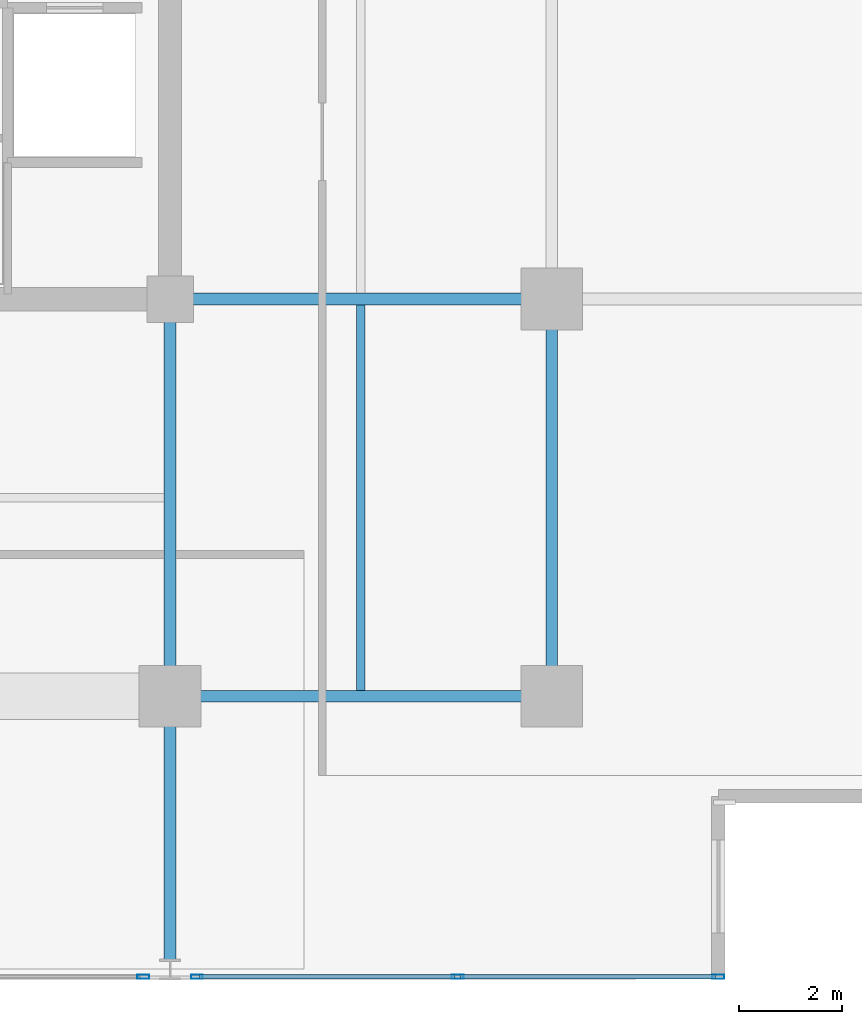
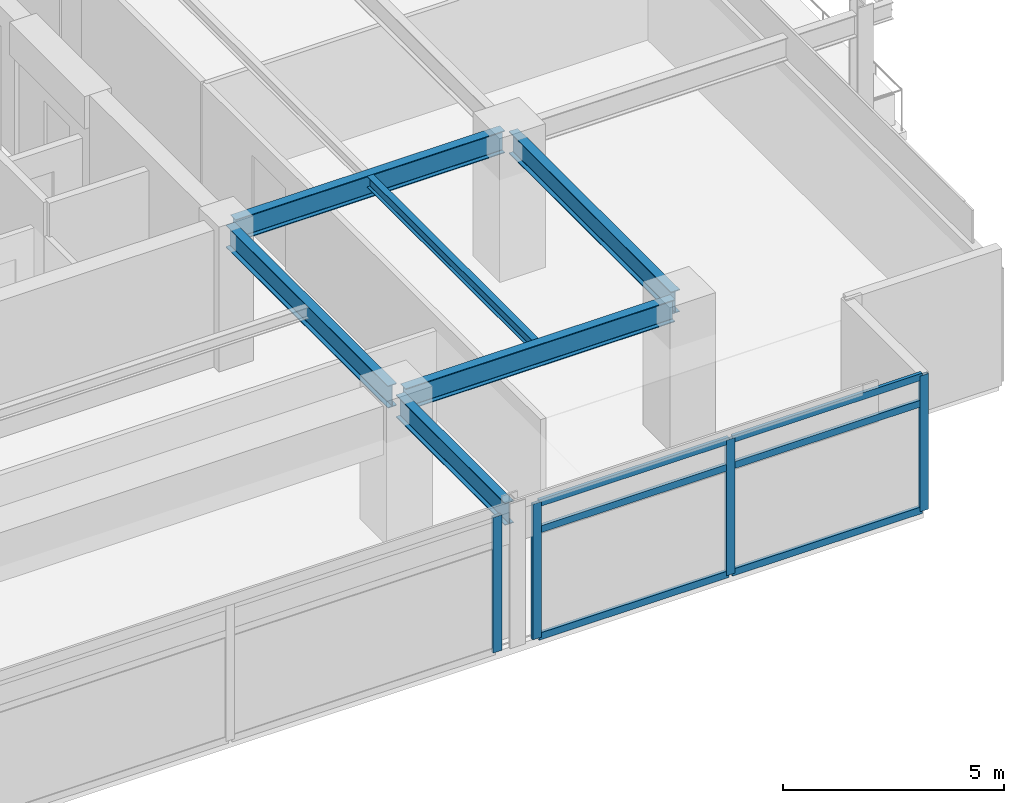
# One storey, part 8 of 21: 10 members, 6 beams, 2 elements without a shape of their own.
"""IFC4 building model written with IfcOpenShell, lengths in metres."""

from ifc_helpers import new_model, si_unit, direction, frame, origin, origin_2d, place, context, subcontext, project, spatial, hollow_rectangle, i_section, extrude, material, material_profile, profile_set, type_object, element, aggregate, save


model = new_model("IFC4")

# Units and contexts
model_context = context("Model", 3, precision=1e-05, world=origin(), true_north=direction((0.0, 1.0)))
body_context = subcontext(model_context, "Body", "Model", "MODEL_VIEW")
ifc_project = project(units=[si_unit("LENGTHUNIT", "METRE"), si_unit("AREAUNIT", "SQUARE_METRE"), si_unit("VOLUMEUNIT", "CUBIC_METRE"), si_unit("PLANEANGLEUNIT", "RADIAN"), si_unit("MASSUNIT", "GRAM", prefix="KILO")], contexts=[model_context])

# Site, building, storey
site_placement = place(None, origin())
site = spatial("IfcSite", under=ifc_project, at=site_placement, CompositionType="ELEMENT")
building_placement = place(site_placement, origin())
building = spatial("IfcBuilding", under=site, at=building_placement, Name="Kovane Verandah Tower", CompositionType="ELEMENT")
storey_placement = place(building_placement, frame((0.0, 0.0, 283.199951171875)))
storey = spatial("IfcBuildingStorey", under=building, at=storey_placement, Name="L66", CompositionType="ELEMENT", Elevation=283.199951171875)

# Beams
ifc_material_1 = material(Name="Steel S355", Category="steel")
ifc_material_profile_1 = material_profile(ifc_material_1, i_section(OverallWidth=0.230224609375, OverallDepth=0.6171875, WebThickness=0.01318359375, FlangeThickness=0.022216796875, FilletRadius=0.0126953125, at=origin_2d()), Name="UB610x229x140")
ifc_profile_set_1 = profile_set([ifc_material_profile_1], Name="Steel S355")
beam_type_1 = type_object("IfcBeamType", Name="BM-UB610x140", PredefinedType="BEAM", material=ifc_profile_set_1)
beam_1_placement = place(storey_placement, frame((51.179931640625, 10.800048828125, 3.4765625), z_axis=(1.0, 0.0, 0.0), x_axis=(0.0, 1.0, 0.0)))
element("IfcBeam", 1, at=beam_1_placement, inside=storey, type_object=beam_type_1, Name="L66 Primary Tower Girder G-RS3", PredefinedType="BEAM", context=body_context, shape_type="SweptSolid", body=[
    extrude(i_section(OverallWidth=0.230224609375, OverallDepth=0.6171875, WebThickness=0.01318359375, FlangeThickness=0.022216796875, FilletRadius=0.0126953125, at=origin_2d()), origin(), (0.0, 0.0, 1.0), 7.0400390625),
])
beam_2_placement = place(storey_placement, frame((58.39990234375, 10.97998046875, 3.4765625), z_axis=(0.0, 1.0, 0.0), x_axis=(-1.0, 0.0, 0.0)))
element("IfcBeam", 2, at=beam_2_placement, inside=storey, type_object=beam_type_1, Name="L66 Primary Tower Girder G-RE1", PredefinedType="BEAM", context=body_context, shape_type="SweptSolid", body=[
    extrude(i_section(OverallWidth=0.230224609375, OverallDepth=0.6171875, WebThickness=0.01318359375, FlangeThickness=0.022216796875, FilletRadius=0.0126953125, at=origin_2d()), origin(), (0.0, 0.0, 1.0), 7.340087890625),
])
beam_3_placement = place(storey_placement, frame((51.179931640625, 18.5, 3.4765625), z_axis=(1.0, 0.0, 0.0), x_axis=(0.0, 1.0, 0.0)))
element("IfcBeam", 3, at=beam_3_placement, inside=storey, type_object=beam_type_1, Name="L66 Primary Tower Girder G-E1", PredefinedType="BEAM", context=body_context, shape_type="SweptSolid", body=[
    extrude(i_section(OverallWidth=0.230224609375, OverallDepth=0.6171875, WebThickness=0.01318359375, FlangeThickness=0.022216796875, FilletRadius=0.0126953125, at=origin_2d()), origin(), (0.0, 0.0, 1.0), 7.0400390625),
])
beam_4_placement = place(storey_placement, frame((51.0, 18.320068359375, 3.4765625), z_axis=(0.0, -1.0, 0.0), x_axis=(1.0, 0.0, 0.0)))
element("IfcBeam", 4, at=beam_4_placement, inside=storey, type_object=beam_type_1, Name="L66 Primary Tower Girder G-S2", PredefinedType="BEAM", context=body_context, shape_type="SweptSolid", body=[
    extrude(i_section(OverallWidth=0.230224609375, OverallDepth=0.6171875, WebThickness=0.01318359375, FlangeThickness=0.022216796875, FilletRadius=0.0126953125, at=origin_2d()), origin(), (0.0, 0.0, 1.0), 7.340087890625),
])
beam_5_placement = place(storey_placement, frame((51.0, 10.6201171875, 3.451416015625), z_axis=(0.0, -1.0, 0.0), x_axis=(1.0, 0.0, 0.0)))
element("IfcBeam", 5, at=beam_5_placement, inside=storey, type_object=beam_type_1, Name="L66 Primary Tower Girder G-VS2", PredefinedType="BEAM", context=body_context, shape_type="SweptSolid", body=[
    extrude(i_section(OverallWidth=0.230224609375, OverallDepth=0.6171875, WebThickness=0.01318359375, FlangeThickness=0.022216796875, FilletRadius=0.0126953125, at=origin_2d()), origin(), (0.0, 0.0, 1.0), 4.940185546875),
])

# Curtain wall, member
ifc_material_2 = material(Name="Champagne Anodised Aluminium Frame with Low-E Clear Laminated Glass", Category="aluminium")
curtain_wall_type = type_object("IfcCurtainWallType", Name="CW-SYS-05-HIGH", PredefinedType="NOTDEFINED", material=ifc_material_2)
curtain_wall_1_placement = place(storey_placement, origin())
curtain_wall_1 = element("IfcCurtainWall", 6, at=curtain_wall_1_placement, inside=storey, type_object=curtain_wall_type, Name="L66 S Unitised Curtain Wall-2", PredefinedType="NOTDEFINED")
ifc_material_3 = material(Name="Champagne Anodised Aluminium 6063-T6", Category="aluminium")
ifc_material_profile_2 = material_profile(ifc_material_3, hollow_rectangle(XDim=0.0849609375, YDim=0.22998046875, WallThickness=0.00390625, at=origin_2d()), Name="AL85x230x4")
ifc_profile_set_2 = profile_set([ifc_material_profile_2], Name="Champagne Anodised Aluminium 6063-T6")
member_type_1 = type_object("IfcMemberType", Name="CW-MUL-85x230", PredefinedType="MULLION", material=ifc_profile_set_2)
member_1_placement = place(storey_placement, frame((50.47998046875, 5.359619140625, 0.02001953125), z_axis=(0.0, 0.0, 1.0), x_axis=(0.0, -1.0, 0.0)))
member_1 = element("IfcMember", 7, at=member_1_placement, type_object=member_type_1, Name="L66 S Unitised Curtain Wall-2 Mullion 4", PredefinedType="MULLION", context=body_context, shape_type="SweptSolid", body=[
    extrude(hollow_rectangle(XDim=0.0849609375, YDim=0.22998046875, WallThickness=0.00390625, at=origin_2d()), origin(), (0.0, 0.0, 1.0), 3.7451171875),
])
aggregate(curtain_wall_1, [member_1])

# Curtain wall, members
curtain_wall_2_placement = place(storey_placement, origin())
curtain_wall_2 = element("IfcCurtainWall", 8, at=curtain_wall_2_placement, inside=storey, type_object=curtain_wall_type, Name="L66 S Unitised Curtain Wall-3", PredefinedType="NOTDEFINED")
member_2_placement = place(storey_placement, frame((51.52001953125, 5.359619140625, 0.02001953125), z_axis=(0.0, 0.0, 1.0), x_axis=(0.0, -1.0, 0.0)))
member_2 = element("IfcMember", 9, at=member_2_placement, type_object=member_type_1, Name="L66 S Unitised Curtain Wall-3 Mullion 1", PredefinedType="MULLION", context=body_context, shape_type="SweptSolid", body=[
    extrude(hollow_rectangle(XDim=0.0849609375, YDim=0.22998046875, WallThickness=0.00390625, at=origin_2d()), origin(), (0.0, 0.0, 1.0), 3.7451171875),
])
member_3_placement = place(storey_placement, frame((56.57568359375, 5.359619140625, 0.02001953125), z_axis=(0.0, 0.0, 1.0), x_axis=(0.0, -1.0, 0.0)))
member_3 = element("IfcMember", 10, at=member_3_placement, type_object=member_type_1, Name="L66 S Unitised Curtain Wall-3 Mullion 2", PredefinedType="MULLION", context=body_context, shape_type="SweptSolid", body=[
    extrude(hollow_rectangle(XDim=0.0849609375, YDim=0.22998046875, WallThickness=0.00390625, at=origin_2d()), origin(), (0.0, 0.0, 1.0), 3.7451171875),
])
member_4_placement = place(storey_placement, frame((61.63134765625, 5.359619140625, 0.02001953125), z_axis=(0.0, 0.0, 1.0), x_axis=(0.0, -1.0, 0.0)))
member_4 = element("IfcMember", 11, at=member_4_placement, type_object=member_type_1, Name="L66 S Unitised Curtain Wall-3 Mullion 3", PredefinedType="MULLION", context=body_context, shape_type="SweptSolid", body=[
    extrude(hollow_rectangle(XDim=0.0849609375, YDim=0.22998046875, WallThickness=0.00390625, at=origin_2d()), origin(), (0.0, 0.0, 1.0), 3.7451171875),
])
ifc_material_profile_3 = material_profile(ifc_material_3, hollow_rectangle(XDim=0.0849609375, YDim=0.18994140625, WallThickness=0.00390625, at=origin_2d()), Name="AL85x190x4")
ifc_profile_set_3 = profile_set([ifc_material_profile_3], Name="Champagne Anodised Aluminium 6063-T6")
member_type_2 = type_object("IfcMemberType", Name="CW-TRN-85x190", PredefinedType="USERDEFINED", material=ifc_profile_set_3)
member_5_placement = place(storey_placement, frame((51.570068359375, 5.359619140625, 0.050048828125), z_axis=(1.0, 0.0, 0.0), x_axis=(0.0, 1.0, 0.0)))
member_5 = element("IfcMember", 12, at=member_5_placement, type_object=member_type_2, Name="L66 S Unitised Curtain Wall-3 Transom TB Bay 1", ObjectType="TRANSOM", PredefinedType="USERDEFINED", context=body_context, shape_type="SweptSolid", body=[
    extrude(hollow_rectangle(XDim=0.0849609375, YDim=0.18994140625, WallThickness=0.00390625, at=origin_2d()), origin(), (0.0, 0.0, 1.0), 4.95556640625),
])
member_6_placement = place(storey_placement, frame((51.570068359375, 5.359619140625, 3.005126953125), z_axis=(1.0, 0.0, 0.0), x_axis=(0.0, 1.0, 0.0)))
member_6 = element("IfcMember", 13, at=member_6_placement, type_object=member_type_2, Name="L66 S Unitised Curtain Wall-3 Transom TM Bay 1", ObjectType="TRANSOM", PredefinedType="USERDEFINED", context=body_context, shape_type="SweptSolid", body=[
    extrude(hollow_rectangle(XDim=0.0849609375, YDim=0.18994140625, WallThickness=0.00390625, at=origin_2d()), origin(), (0.0, 0.0, 1.0), 4.95556640625),
])
member_7_placement = place(storey_placement, frame((51.570068359375, 5.359619140625, 3.735107421875), z_axis=(1.0, 0.0, 0.0), x_axis=(0.0, 1.0, 0.0)))
member_7 = element("IfcMember", 14, at=member_7_placement, type_object=member_type_2, Name="L66 S Unitised Curtain Wall-3 Transom TT Bay 1", ObjectType="TRANSOM", PredefinedType="USERDEFINED", context=body_context, shape_type="SweptSolid", body=[
    extrude(hollow_rectangle(XDim=0.0849609375, YDim=0.18994140625, WallThickness=0.00390625, at=origin_2d()), origin(), (0.0, 0.0, 1.0), 4.95556640625),
])
member_8_placement = place(storey_placement, frame((56.62548828125, 5.359619140625, 0.050048828125), z_axis=(1.0, 0.0, 0.0), x_axis=(0.0, 1.0, 0.0)))
member_8 = element("IfcMember", 15, at=member_8_placement, type_object=member_type_2, Name="L66 S Unitised Curtain Wall-3 Transom TB Bay 2", ObjectType="TRANSOM", PredefinedType="USERDEFINED", context=body_context, shape_type="SweptSolid", body=[
    extrude(hollow_rectangle(XDim=0.0849609375, YDim=0.18994140625, WallThickness=0.00390625, at=origin_2d()), origin(), (0.0, 0.0, 1.0), 4.955810546875),
])
member_9_placement = place(storey_placement, frame((56.62548828125, 5.359619140625, 3.005126953125), z_axis=(1.0, 0.0, 0.0), x_axis=(0.0, 1.0, 0.0)))
member_9 = element("IfcMember", 16, at=member_9_placement, type_object=member_type_2, Name="L66 S Unitised Curtain Wall-3 Transom TM Bay 2", ObjectType="TRANSOM", PredefinedType="USERDEFINED", context=body_context, shape_type="SweptSolid", body=[
    extrude(hollow_rectangle(XDim=0.0849609375, YDim=0.18994140625, WallThickness=0.00390625, at=origin_2d()), origin(), (0.0, 0.0, 1.0), 4.955810546875),
])
member_10_placement = place(storey_placement, frame((56.62548828125, 5.359619140625, 3.735107421875), z_axis=(1.0, 0.0, 0.0), x_axis=(0.0, 1.0, 0.0)))
member_10 = element("IfcMember", 17, at=member_10_placement, type_object=member_type_2, Name="L66 S Unitised Curtain Wall-3 Transom TT Bay 2", ObjectType="TRANSOM", PredefinedType="USERDEFINED", context=body_context, shape_type="SweptSolid", body=[
    extrude(hollow_rectangle(XDim=0.0849609375, YDim=0.18994140625, WallThickness=0.00390625, at=origin_2d()), origin(), (0.0, 0.0, 1.0), 4.955810546875),
])
aggregate(curtain_wall_2, [member_2, member_3, member_4, member_5, member_6, member_7, member_8, member_9, member_10])

# Beam
ifc_material_profile_4 = material_profile(ifc_material_1, i_section(OverallWidth=0.1669921875, OverallDepth=0.310302734375, WebThickness=0.0078125, FlangeThickness=0.013671875, FilletRadius=0.0087890625, at=origin_2d()), Name="UB305x165x54")
ifc_profile_set_4 = profile_set([ifc_material_profile_4], Name="Steel S355")
beam_type_2 = type_object("IfcBeamType", Name="JST-UB305x54", PredefinedType="JOIST", material=ifc_profile_set_4)
beam_6_placement = place(storey_placement, frame((54.699951171875, 10.9130859375, 3.6298828125), z_axis=(0.0, 1.0, 0.0), x_axis=(-1.0, 0.0, 0.0)))
element("IfcBeam", 18, at=beam_6_placement, inside=storey, type_object=beam_type_2, Name="L66 Secondary Composite Joist J-SE1", PredefinedType="JOIST", context=body_context, shape_type="SweptSolid", body=[
    extrude(i_section(OverallWidth=0.1669921875, OverallDepth=0.310302734375, WebThickness=0.0078125, FlangeThickness=0.013671875, FilletRadius=0.0087890625, at=origin_2d()), origin(), (0.0, 0.0, 1.0), 7.473876953125),
])

save(model, "model.ifc")
